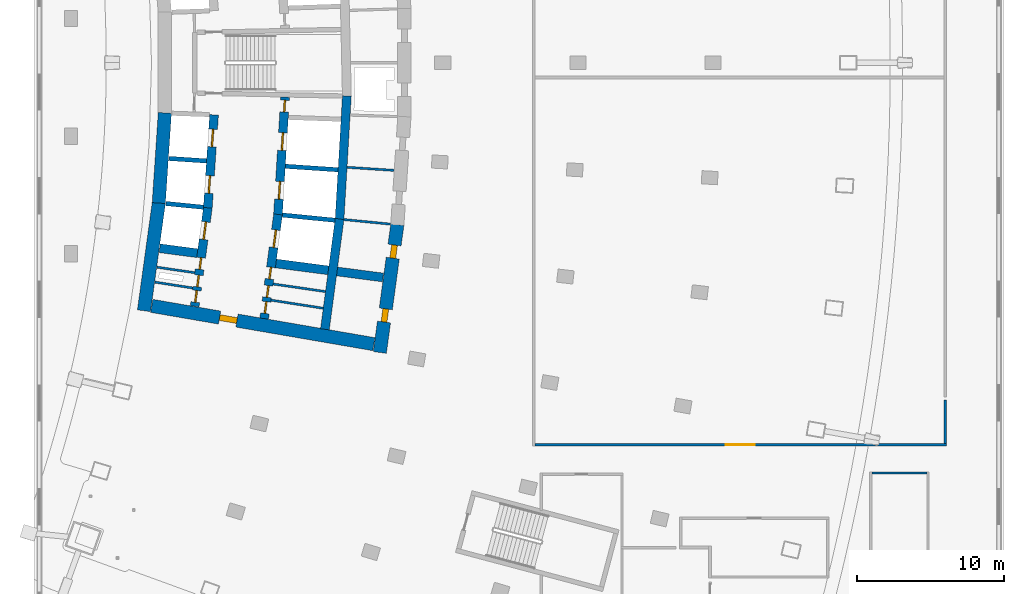
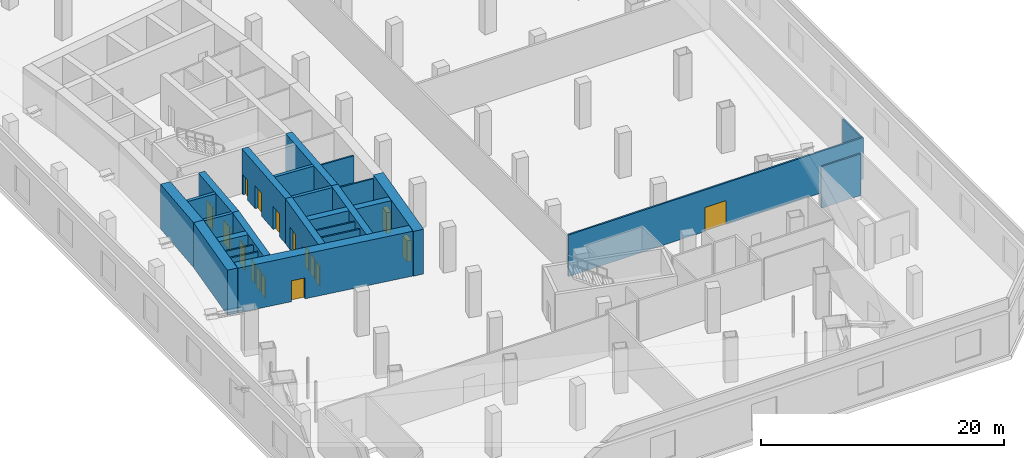
# One storey, part 13 of 19: 26 walls, 17 doors, 17 openings.
"""IFC4 building model written with IfcOpenShell, lengths in metres."""

from ifc_helpers import new_model, si_unit, direction, frame, frame_2d, origin, place, context, subcontext, project, spatial, rectangle, extrude, material, layer, layer_set, type_object, element, fill, save


model = new_model("IFC4")

# Units and contexts
model_context = context("Model", 3, precision=1e-05, world=origin(), true_north=direction((0.0, 1.0)))
body_context = subcontext(model_context, "Body", "Model", "MODEL_VIEW")
ifc_project = project(units=[si_unit("LENGTHUNIT", "METRE"), si_unit("AREAUNIT", "SQUARE_METRE"), si_unit("VOLUMEUNIT", "CUBIC_METRE"), si_unit("PLANEANGLEUNIT", "RADIAN"), si_unit("MASSUNIT", "GRAM", prefix="KILO")], contexts=[model_context])

# Site, building, storey
site_placement = place(None, origin())
site = spatial("IfcSite", under=ifc_project, at=site_placement, CompositionType="ELEMENT")
building_placement = place(site_placement, origin())
building = spatial("IfcBuilding", under=site, at=building_placement, Name="Alderwake Tower", CompositionType="ELEMENT")
storey_placement = place(building_placement, frame((0.0, 0.0, 27.5)))
storey = spatial("IfcBuildingStorey", under=building, at=storey_placement, Name="L05", CompositionType="ELEMENT", Elevation=27.5)

# Walls
ifc_material_1 = material(Name="Gypsum shaft wall system, rated")
ifc_layer_1 = layer(ifc_material_1, 0.14990234375)
ifc_layer_set_1 = layer_set([ifc_layer_1], Name="Core room partition 150")
wall_type_1 = type_object("IfcWallType", Name="Core room partition 150", PredefinedType="PARTITIONING", material=ifc_layer_set_1)
wall_1_placement = place(storey_placement, frame((16.2216796875, 46.0673828125, 0.0), z_axis=(0.0, 0.0, 1.0), x_axis=(0.988167260949, -0.153380130356, 0.0)))
element("IfcWall", 1, at=wall_1_placement, inside=storey, type_object=wall_type_1, Name="CW/L05/PR-161_+0", PredefinedType="PARTITIONING", context=body_context, shape_type="SweptSolid", body=[
    extrude(rectangle(XDim=2.593017578125, YDim=0.14990234375, at=frame_2d((1.29638671875, 0.0))), origin(), (0.0, 0.0, 1.0), 4.179931640625),
])
wall_2_placement = place(storey_placement, frame((24.117431640625, 44.842041015625, 0.0), z_axis=(0.0, 0.0, 1.0), x_axis=(0.988173903359, -0.153337329832, 0.0)))
element("IfcWall", 2, at=wall_2_placement, inside=storey, type_object=wall_type_1, Name="CW/L05/PR-161_+86", PredefinedType="PARTITIONING", context=body_context, shape_type="SweptSolid", body=[
    extrude(rectangle(XDim=3.5966796875, YDim=0.14990234375, at=frame_2d((1.79833984375, 0.0))), origin(), (0.0, 0.0, 1.0), 4.179931640625),
])
wall_3_placement = place(storey_placement, frame((16.361328125, 47.08203125, 0.0), z_axis=(0.0, 0.0, 1.0), x_axis=(0.989733250733, -0.142926877787, 0.0)))
element("IfcWall", 3, at=wall_3_placement, inside=storey, type_object=wall_type_1, Name="CW/L05/PR-150_+0", PredefinedType="PARTITIONING", context=body_context, shape_type="SweptSolid", body=[
    extrude(rectangle(XDim=2.587890625, YDim=0.14990234375, at=frame_2d((1.2939453125, 0.0))), origin(), (0.0, 0.0, 1.0), 4.179931640625),
])
wall_4_placement = place(storey_placement, frame((24.263916015625, 45.940673828125, 0.0), z_axis=(0.0, 0.0, 1.0), x_axis=(0.989732412963, -0.142932679013, 0.0)))
element("IfcWall", 4, at=wall_4_placement, inside=storey, type_object=wall_type_1, Name="CW/L05/PR-150_+86", PredefinedType="PARTITIONING", context=body_context, shape_type="SweptSolid", body=[
    extrude(rectangle(XDim=3.595458984375, YDim=0.14990234375, at=frame_2d((1.7978515625, 0.0))), origin(), (0.0, 0.0, 1.0), 4.179931640625),
])
wall_5_placement = place(storey_placement, frame((29.0791015625, 50.326416015625, 0.0), z_axis=(0.0, 0.0, 1.0), x_axis=(0.995249181795, -0.097360495766, 0.0)))
element("IfcWall", 5, at=wall_5_placement, inside=storey, type_object=wall_type_1, Name="CW/L05/PR-102_+128", PredefinedType="PARTITIONING", context=body_context, shape_type="SweptSolid", body=[
    extrude(rectangle(XDim=3.169677734375, YDim=0.14990234375, at=frame_2d((1.5849609375, 0.0))), origin(), (0.0, 0.0, 1.0), 4.179931640625),
])
wall_6_placement = place(storey_placement, frame((29.289794921875, 53.883056640625, 0.0), z_axis=(0.0, 0.0, 1.0), x_axis=(0.997885290873, -0.064999586616, 0.0)))
element("IfcWall", 6, at=wall_6_placement, inside=storey, type_object=wall_type_1, Name="CW/L05/PR-68_+128", PredefinedType="PARTITIONING", context=body_context, shape_type="SweptSolid", body=[
    extrude(rectangle(XDim=3.18896484375, YDim=0.14990234375, at=frame_2d((1.594482421875, 0.0))), origin(), (0.0, 0.0, 1.0), 4.179931640625),
])
ifc_material_2 = material(Name="Concrete C70/85", Category="concrete")
ifc_layer_2 = layer(ifc_material_2, 0.89990234375)
ifc_layer_set_2 = layer_set([ifc_layer_2], Name="Core wall outer 900 C70-85")
wall_type_2 = type_object("IfcWallType", Name="Core wall outer 900 C70-85", PredefinedType="SHEAR", material=ifc_layer_set_2)
wall_7_placement = place(storey_placement, frame((15.46923828125, 44.1201171875, 0.0), z_axis=(0.0, 0.0, 1.0), x_axis=(0.136337234661, 0.990662484626, 0.0)))
element("IfcWall", 7, at=wall_7_placement, inside=storey, type_object=wall_type_2, Name="Core wall CW.042", PredefinedType="SHEAR", context=body_context, shape_type="SweptSolid", body=[
    extrude(rectangle(XDim=7.431396484375, YDim=0.89990234375, at=frame_2d((3.7158203125, 0.0))), origin(), (0.0, 0.0, 1.0), 4.5),
])
wall_8_placement = place(storey_placement, frame((16.47900390625, 51.449951171875, 0.0), z_axis=(0.0, 0.0, 1.0), x_axis=(0.06689316208, 0.997760143956, 0.0)))
element("IfcWall", 8, at=wall_8_placement, inside=storey, type_object=wall_type_2, Name="Core wall CW.041", PredefinedType="SHEAR", context=body_context, shape_type="SweptSolid", body=[
    extrude(rectangle(XDim=6.149658203125, YDim=0.89990234375, at=frame_2d((3.07470703125, 0.0))), origin(), (0.0, 0.0, 1.0), 4.5),
])

# Wall, openings, doors
wall_9_placement = place(storey_placement, frame((32.7138671875, 49.9873046875, 0.0), z_axis=(0.0, 0.0, 1.0), x_axis=(-0.135844728876, -0.990730139663, 0.0)))
wall_9 = element("IfcWall", 9, at=wall_9_placement, inside=storey, type_object=wall_type_2, Name="Core wall CW.012", PredefinedType="SHEAR", context=body_context, shape_type="SweptSolid", body=[
    extrude(rectangle(XDim=8.78662109375, YDim=0.89990234375, at=frame_2d((4.393310546875, 0.0))), origin(), (0.0, 0.0, 1.0), 4.5),
])
opening_1_placement = place(wall_9_placement, frame((1.40673828125, 0.0, 0.0)))
opening_1 = element("IfcOpeningElement", 10, at=opening_1_placement, cuts=wall_9, Name="Opening C050", PredefinedType="OPENING", context=body_context, shape_type="SweptSolid", body=[
    extrude(rectangle(XDim=0.89990234375, YDim=2.10009765625, at=frame_2d((0.449951171875, 1.050048828125))), frame((0.0, 0.4599609375, 0.0), z_axis=(0.0, -1.0, 0.0), x_axis=(1.0, 0.0, 0.0)), (0.0, 0.0, 1.0), 0.919921875),
])
opening_2_placement = place(wall_9_placement, frame((5.79248046875, 0.0, 0.0)))
opening_2 = element("IfcOpeningElement", 11, at=opening_2_placement, cuts=wall_9, Name="Opening C061", PredefinedType="OPENING", context=body_context, shape_type="SweptSolid", body=[
    extrude(rectangle(XDim=0.89990234375, YDim=2.10009765625, at=frame_2d((0.449951171875, 1.050048828125))), frame((0.0, 0.4599609375, 0.0), z_axis=(0.0, -1.0, 0.0), x_axis=(1.0, 0.0, 0.0)), (0.0, 0.0, 1.0), 0.919921875),
])
ifc_material_3 = material(Name="Painted steel leaf", Category="steel")
door_type_1 = type_object("IfcDoorType", Name="Core room door 900", OperationType="SINGLE_SWING_LEFT", PredefinedType="DOOR", material=ifc_material_3)
door_1_placement = place(opening_1_placement, origin())
door_1 = element("IfcDoor", 12, at=door_1_placement, inside=storey, type_object=door_type_1, Name="Room door", OperationType="SINGLE_SWING_RIGHT", OverallHeight=2.10009765625, OverallWidth=0.89990234375, PredefinedType="DOOR", context=body_context, shape_type="SweptSolid", body=[
    extrude(rectangle(XDim=0.89990234375, YDim=2.10009765625, at=frame_2d((0.449951171875, 1.050048828125))), frame((0.0, 0.199951171875, 0.0), z_axis=(0.0, -1.0, 0.0), x_axis=(1.0, 0.0, 0.0)), (0.0, 0.0, 1.0), 0.39990234375),
])
fill(opening_1, door_1)
door_2_placement = place(opening_2_placement, origin())
door_2 = element("IfcDoor", 13, at=door_2_placement, inside=storey, type_object=door_type_1, Name="Room door", OperationType="SINGLE_SWING_LEFT", OverallHeight=2.10009765625, OverallWidth=0.89990234375, PredefinedType="DOOR", context=body_context, shape_type="SweptSolid", body=[
    extrude(rectangle(XDim=0.89990234375, YDim=2.10009765625, at=frame_2d((0.449951171875, 1.050048828125))), frame((0.0, 0.199951171875, 0.0), z_axis=(0.0, -1.0, 0.0), x_axis=(1.0, 0.0, 0.0)), (0.0, 0.0, 1.0), 0.39990234375),
])
fill(opening_2, door_2)

# Wall, opening, door
wall_10_placement = place(storey_placement, frame((31.11328125, 41.846923828125, 0.0), z_axis=(0.0, 0.0, 1.0), x_axis=(-0.985466640605, 0.169869067972, 0.0)))
wall_10 = element("IfcWall", 14, at=wall_10_placement, inside=storey, type_object=wall_type_2, Name="Core wall CW.070", PredefinedType="SHEAR", context=body_context, shape_type="SweptSolid", body=[
    extrude(rectangle(XDim=15.336669921875, YDim=0.89990234375, at=frame_2d((7.66845703125, 0.0))), origin(), (0.0, 0.0, 1.0), 4.5),
])
opening_3_placement = place(wall_10_placement, frame((9.451904296875, 0.0, 0.0)))
opening_3 = element("IfcOpeningElement", 15, at=opening_3_placement, cuts=wall_10, Name="Opening C003", PredefinedType="OPENING", context=body_context, shape_type="SweptSolid", body=[
    extrude(rectangle(XDim=1.199951171875, YDim=2.10009765625, at=frame_2d((0.60009765625, 1.050048828125))), frame((0.0, 0.4599609375, 0.0), z_axis=(0.0, -1.0, 0.0), x_axis=(1.0, 0.0, 0.0)), (0.0, 0.0, 1.0), 0.919921875),
])
ifc_material_4 = material(Name="Steel-framed fire door leaf", Category="steel")
door_type_2 = type_object("IfcDoorType", Name="Core lobby exit door 1200 fire-rated", OperationType="SINGLE_SWING_LEFT", PredefinedType="DOOR", material=ifc_material_4)
door_3_placement = place(opening_3_placement, origin())
door_3 = element("IfcDoor", 16, at=door_3_placement, inside=storey, type_object=door_type_2, Name="Lobby door", OperationType="SINGLE_SWING_LEFT", OverallHeight=2.10009765625, OverallWidth=1.199951171875, PredefinedType="DOOR", context=body_context, shape_type="SweptSolid", body=[
    extrude(rectangle(XDim=1.199951171875, YDim=2.10009765625, at=frame_2d((0.60009765625, 1.050048828125))), frame((0.0, 0.199951171875, 0.0), z_axis=(0.0, -1.0, 0.0), x_axis=(1.0, 0.0, 0.0)), (0.0, 0.0, 1.0), 0.39990234375),
])
fill(opening_3, door_3)

# Walls
ifc_material_5 = material(Name="Concrete C70/85", Category="concrete")
ifc_layer_3 = layer(ifc_material_5, 0.300048828125)
ifc_layer_set_3 = layer_set([ifc_layer_3], Name="Core wall shaft 300 C70-85")
wall_type_3 = type_object("IfcWallType", Name="Core wall shaft 300 C70-85", PredefinedType="SHEAR", material=ifc_layer_set_3)
wall_11_placement = place(storey_placement, frame((16.9580078125, 51.4189453125, 0.0), z_axis=(0.0, 0.0, 1.0), x_axis=(0.995153154577, -0.098337169657, 0.0)))
element("IfcWall", 17, at=wall_11_placement, inside=storey, type_object=wall_type_3, Name="Core wall CW.065", PredefinedType="SHEAR", context=body_context, shape_type="SweptSolid", body=[
    extrude(rectangle(XDim=2.569580078125, YDim=0.300048828125, at=frame_2d((1.28466796875, 0.0))), origin(), (0.0, 0.0, 1.0), 4.5),
])
wall_12_placement = place(storey_placement, frame((24.889404296875, 50.635009765625, 0.0), z_axis=(0.0, 0.0, 1.0), x_axis=(0.995156121494, -0.098307140396, 0.0)))
element("IfcWall", 18, at=wall_12_placement, inside=storey, type_object=wall_type_3, Name="Core wall CW.066", PredefinedType="SHEAR", context=body_context, shape_type="SweptSolid", body=[
    extrude(rectangle(XDim=3.595947265625, YDim=0.300048828125, at=frame_2d((1.7978515625, 0.0))), origin(), (0.0, 0.0, 1.0), 4.5),
])
wall_13_placement = place(storey_placement, frame((17.16357421875, 54.486083984375, 0.0), z_axis=(0.0, 0.0, 1.0), x_axis=(0.997758581961, -0.066916456292, 0.0)))
element("IfcWall", 19, at=wall_13_placement, inside=storey, type_object=wall_type_3, Name="Core wall CW.079", PredefinedType="SHEAR", context=body_context, shape_type="SweptSolid", body=[
    extrude(rectangle(XDim=2.568603515625, YDim=0.300048828125, at=frame_2d((1.2841796875, 0.0))), origin(), (0.0, 0.0, 1.0), 4.5),
])
wall_14_placement = place(storey_placement, frame((25.090087890625, 53.954833984375, 0.0), z_axis=(0.0, 0.0, 1.0), x_axis=(0.997758045734, -0.066924451231, 0.0)))
element("IfcWall", 20, at=wall_14_placement, inside=storey, type_object=wall_type_3, Name="Core wall CW.080", PredefinedType="SHEAR", context=body_context, shape_type="SweptSolid", body=[
    extrude(rectangle(XDim=3.596923828125, YDim=0.300048828125, at=frame_2d((1.79833984375, 0.0))), origin(), (0.0, 0.0, 1.0), 4.5),
])

# Wall, openings, doors
ifc_material_6 = material(Name="Concrete C70/85", Category="concrete")
ifc_layer_4 = layer(ifc_material_6, 0.60009765625)
ifc_layer_set_4 = layer_set([ifc_layer_4], Name="Core wall spine 600 C70-85")
wall_type_4 = type_object("IfcWallType", Name="Core wall spine 600 C70-85", PredefinedType="SHEAR", material=ifc_layer_set_4)
wall_15_placement = place(storey_placement, frame((19.815185546875, 51.14697265625, 0.0), z_axis=(0.0, 0.0, 1.0), x_axis=(-0.131854836214, -0.991269036219, 0.0)))
wall_15 = element("IfcWall", 21, at=wall_15_placement, inside=storey, type_object=wall_type_4, Name="Core wall CW.033", PredefinedType="SHEAR", context=body_context, shape_type="SweptSolid", body=[
    extrude(rectangle(XDim=6.782470703125, YDim=0.60009765625, at=frame_2d((3.39111328125, 0.0))), origin(), (0.0, 0.0, 1.0), 4.5),
])
opening_4_placement = place(wall_15_placement, frame((0.9921875, 0.0, 0.0)))
opening_4 = element("IfcOpeningElement", 22, at=opening_4_placement, cuts=wall_15, Name="Opening LD-LP1", PredefinedType="OPENING", context=body_context, shape_type="SweptSolid", body=[
    extrude(rectangle(XDim=1.199951171875, YDim=2.300048828125, at=frame_2d((0.60009765625, 1.14990234375))), frame((0.0, 0.31005859375, 0.0), z_axis=(0.0, -1.0, 0.0), x_axis=(1.0, 0.0, 0.0)), (0.0, 0.0, 1.0), 0.6201171875),
])
opening_5_placement = place(wall_15_placement, frame((5.699951171875, 0.0, 0.0)))
opening_5 = element("IfcOpeningElement", 23, at=opening_5_placement, cuts=wall_15, Name="Opening C009", PredefinedType="OPENING", context=body_context, shape_type="SweptSolid", body=[
    extrude(rectangle(XDim=0.800048828125, YDim=2.0, at=frame_2d((0.39990234375, 1.0))), frame((0.0, 0.31005859375, 0.0), z_axis=(0.0, -1.0, 0.0), x_axis=(1.0, 0.0, 0.0)), (0.0, 0.0, 1.0), 0.6201171875),
])
opening_6_placement = place(wall_15_placement, frame((4.64501953125, 0.0, 0.0)))
opening_6 = element("IfcOpeningElement", 24, at=opening_6_placement, cuts=wall_15, Name="Opening C011", PredefinedType="OPENING", context=body_context, shape_type="SweptSolid", body=[
    extrude(rectangle(XDim=0.800048828125, YDim=2.0, at=frame_2d((0.39990234375, 1.0))), frame((0.0, 0.31005859375, 0.0), z_axis=(0.0, -1.0, 0.0), x_axis=(1.0, 0.0, 0.0)), (0.0, 0.0, 1.0), 0.6201171875),
])
opening_7_placement = place(wall_15_placement, frame((3.4462890625, 0.0, 0.0)))
opening_7 = element("IfcOpeningElement", 25, at=opening_7_placement, cuts=wall_15, Name="Opening C012", PredefinedType="OPENING", context=body_context, shape_type="SweptSolid", body=[
    extrude(rectangle(XDim=0.800048828125, YDim=2.0, at=frame_2d((0.39990234375, 1.0))), frame((0.0, 0.31005859375, 0.0), z_axis=(0.0, -1.0, 0.0), x_axis=(1.0, 0.0, 0.0)), (0.0, 0.0, 1.0), 0.6201171875),
])
ifc_material_7 = material(Name="Stainless steel sliding leaf", Category="steel")
door_type_3 = type_object("IfcDoorType", Name="Lift landing door 1200", OperationType="SLIDING_TO_LEFT", PredefinedType="DOOR", material=ifc_material_7)
door_4_placement = place(opening_4_placement, origin())
door_4 = element("IfcDoor", 26, at=door_4_placement, inside=storey, type_object=door_type_3, Name="Lift landing door LP1", OperationType="SLIDING_TO_LEFT", OverallHeight=2.300048828125, OverallWidth=1.199951171875, PredefinedType="DOOR", context=body_context, shape_type="SweptSolid", body=[
    extrude(rectangle(XDim=1.199951171875, YDim=2.300048828125, at=frame_2d((0.60009765625, 1.14990234375))), frame((0.0, 0.050048828125, 0.0), z_axis=(0.0, -1.0, 0.0), x_axis=(1.0, 0.0, 0.0)), (0.0, 0.0, 1.0), 0.10009765625),
])
fill(opening_4, door_4)
ifc_material_8 = material(Name="Painted steel leaf, rated", Category="steel")
door_type_4 = type_object("IfcDoorType", Name="Riser access door 800", OperationType="SINGLE_SWING_LEFT", PredefinedType="DOOR", material=ifc_material_8)
door_5_placement = place(opening_5_placement, origin())
door_5 = element("IfcDoor", 27, at=door_5_placement, inside=storey, type_object=door_type_4, Name="Riser access door", OperationType="SINGLE_SWING_LEFT", OverallHeight=2.0, OverallWidth=0.800048828125, PredefinedType="DOOR", context=body_context, shape_type="SweptSolid", body=[
    extrude(rectangle(XDim=0.800048828125, YDim=2.0, at=frame_2d((0.39990234375, 1.0))), frame((0.0, 0.050048828125, 0.0), z_axis=(0.0, -1.0, 0.0), x_axis=(1.0, 0.0, 0.0)), (0.0, 0.0, 1.0), 0.10009765625),
])
fill(opening_5, door_5)
door_6_placement = place(opening_6_placement, origin())
door_6 = element("IfcDoor", 28, at=door_6_placement, inside=storey, type_object=door_type_4, Name="Riser access door", OperationType="SINGLE_SWING_RIGHT", OverallHeight=2.0, OverallWidth=0.800048828125, PredefinedType="DOOR", context=body_context, shape_type="SweptSolid", body=[
    extrude(rectangle(XDim=0.800048828125, YDim=2.0, at=frame_2d((0.39990234375, 1.0))), frame((0.0, 0.050048828125, 0.0), z_axis=(0.0, -1.0, 0.0), x_axis=(1.0, 0.0, 0.0)), (0.0, 0.0, 1.0), 0.10009765625),
])
fill(opening_6, door_6)
door_7_placement = place(opening_7_placement, origin())
door_7 = element("IfcDoor", 29, at=door_7_placement, inside=storey, type_object=door_type_4, Name="Riser access door", OperationType="SINGLE_SWING_LEFT", OverallHeight=2.0, OverallWidth=0.800048828125, PredefinedType="DOOR", context=body_context, shape_type="SweptSolid", body=[
    extrude(rectangle(XDim=0.800048828125, YDim=2.0, at=frame_2d((0.39990234375, 1.0))), frame((0.0, 0.050048828125, 0.0), z_axis=(0.0, -1.0, 0.0), x_axis=(1.0, 0.0, 0.0)), (0.0, 0.0, 1.0), 0.10009765625),
])
fill(opening_7, door_7)

wall_16_placement = place(storey_placement, frame((19.813232421875, 51.12646484375, 0.0), z_axis=(0.0, 0.0, 1.0), x_axis=(0.066892179723, 0.997760209816, 0.0)))
wall_16 = element("IfcWall", 30, at=wall_16_placement, inside=storey, type_object=wall_type_4, Name="Core wall CW.032", PredefinedType="SHEAR", context=body_context, shape_type="SweptSolid", body=[
    extrude(rectangle(XDim=6.339599609375, YDim=0.60009765625, at=frame_2d((3.169921875, 0.0))), origin(), (0.0, 0.0, 1.0), 4.5),
])
opening_8_placement = place(wall_16_placement, frame((0.992431640625, 0.0, 0.0)))
opening_8 = element("IfcOpeningElement", 31, at=opening_8_placement, cuts=wall_16, Name="Opening LD-LP2", PredefinedType="OPENING", context=body_context, shape_type="SweptSolid", body=[
    extrude(rectangle(XDim=1.199951171875, YDim=2.300048828125, at=frame_2d((0.60009765625, 1.14990234375))), frame((0.0, 0.31005859375, 0.0), z_axis=(0.0, -1.0, 0.0), x_axis=(1.0, 0.0, 0.0)), (0.0, 0.0, 1.0), 0.6201171875),
])
opening_9_placement = place(wall_16_placement, frame((4.157470703125, 0.0, 0.0)))
opening_9 = element("IfcOpeningElement", 32, at=opening_9_placement, cuts=wall_16, Name="Opening LD-LP3", PredefinedType="OPENING", context=body_context, shape_type="SweptSolid", body=[
    extrude(rectangle(XDim=1.199951171875, YDim=2.300048828125, at=frame_2d((0.60009765625, 1.14990234375))), frame((0.0, 0.31005859375, 0.0), z_axis=(0.0, -1.0, 0.0), x_axis=(1.0, 0.0, 0.0)), (0.0, 0.0, 1.0), 0.6201171875),
])
door_8_placement = place(opening_8_placement, origin())
door_8 = element("IfcDoor", 33, at=door_8_placement, inside=storey, type_object=door_type_3, Name="Lift landing door LP2", OperationType="SLIDING_TO_LEFT", OverallHeight=2.300048828125, OverallWidth=1.199951171875, PredefinedType="DOOR", context=body_context, shape_type="SweptSolid", body=[
    extrude(rectangle(XDim=1.199951171875, YDim=2.300048828125, at=frame_2d((0.60009765625, 1.14990234375))), frame((0.0, 0.050048828125, 0.0), z_axis=(0.0, -1.0, 0.0), x_axis=(1.0, 0.0, 0.0)), (0.0, 0.0, 1.0), 0.10009765625),
])
fill(opening_8, door_8)
door_9_placement = place(opening_9_placement, origin())
door_9 = element("IfcDoor", 34, at=door_9_placement, inside=storey, type_object=door_type_3, Name="Lift landing door LP3", OperationType="SLIDING_TO_LEFT", OverallHeight=2.300048828125, OverallWidth=1.199951171875, PredefinedType="DOOR", context=body_context, shape_type="SweptSolid", body=[
    extrude(rectangle(XDim=1.199951171875, YDim=2.300048828125, at=frame_2d((0.60009765625, 1.14990234375))), frame((0.0, 0.050048828125, 0.0), z_axis=(0.0, -1.0, 0.0), x_axis=(1.0, 0.0, 0.0)), (0.0, 0.0, 1.0), 0.10009765625),
])
fill(opening_9, door_9)

wall_17_placement = place(storey_placement, frame((23.647705078125, 43.588134765625, 0.0), z_axis=(0.0, 0.0, 1.0), x_axis=(0.132069785658, 0.991240420744, 0.0)))
wall_17 = element("IfcWall", 35, at=wall_17_placement, inside=storey, type_object=wall_type_4, Name="Core wall CW.047", PredefinedType="SHEAR", context=body_context, shape_type="SweptSolid", body=[
    extrude(rectangle(XDim=7.150390625, YDim=0.60009765625, at=frame_2d((3.5751953125, 0.0))), origin(), (0.0, 0.0, 1.0), 4.5),
])
opening_10_placement = place(wall_17_placement, frame((4.88134765625, 0.0, 0.0)))
opening_10 = element("IfcOpeningElement", 36, at=opening_10_placement, cuts=wall_17, Name="Opening LD-LP4", PredefinedType="OPENING", context=body_context, shape_type="SweptSolid", body=[
    extrude(rectangle(XDim=1.199951171875, YDim=2.300048828125, at=frame_2d((0.60009765625, 1.14990234375))), frame((0.0, 0.31005859375, 0.0), z_axis=(0.0, -1.0, 0.0), x_axis=(1.0, 0.0, 0.0)), (0.0, 0.0, 1.0), 0.6201171875),
])
opening_11_placement = place(wall_17_placement, frame((0.35791015625, 0.0, 0.0)))
opening_11 = element("IfcOpeningElement", 37, at=opening_11_placement, cuts=wall_17, Name="Opening C016", PredefinedType="OPENING", context=body_context, shape_type="SweptSolid", body=[
    extrude(rectangle(XDim=0.800048828125, YDim=2.0, at=frame_2d((0.39990234375, 1.0))), frame((0.0, 0.31005859375, 0.0), z_axis=(0.0, -1.0, 0.0), x_axis=(1.0, 0.0, 0.0)), (0.0, 0.0, 1.0), 0.6201171875),
])
opening_12_placement = place(wall_17_placement, frame((1.46337890625, 0.0, 0.0)))
opening_12 = element("IfcOpeningElement", 38, at=opening_12_placement, cuts=wall_17, Name="Opening C018", PredefinedType="OPENING", context=body_context, shape_type="SweptSolid", body=[
    extrude(rectangle(XDim=0.800048828125, YDim=2.0, at=frame_2d((0.39990234375, 1.0))), frame((0.0, 0.31005859375, 0.0), z_axis=(0.0, -1.0, 0.0), x_axis=(1.0, 0.0, 0.0)), (0.0, 0.0, 1.0), 0.6201171875),
])
opening_13_placement = place(wall_17_placement, frame((2.719482421875, 0.0, 0.0)))
opening_13 = element("IfcOpeningElement", 39, at=opening_13_placement, cuts=wall_17, Name="Opening C019", PredefinedType="OPENING", context=body_context, shape_type="SweptSolid", body=[
    extrude(rectangle(XDim=0.800048828125, YDim=2.0, at=frame_2d((0.39990234375, 1.0))), frame((0.0, 0.31005859375, 0.0), z_axis=(0.0, -1.0, 0.0), x_axis=(1.0, 0.0, 0.0)), (0.0, 0.0, 1.0), 0.6201171875),
])
door_10_placement = place(opening_10_placement, origin())
door_10 = element("IfcDoor", 40, at=door_10_placement, inside=storey, type_object=door_type_3, Name="Lift landing door LP4", OperationType="SLIDING_TO_LEFT", OverallHeight=2.300048828125, OverallWidth=1.199951171875, PredefinedType="DOOR", context=body_context, shape_type="SweptSolid", body=[
    extrude(rectangle(XDim=1.199951171875, YDim=2.300048828125, at=frame_2d((0.60009765625, 1.14990234375))), frame((0.0, 0.050048828125, 0.0), z_axis=(0.0, -1.0, 0.0), x_axis=(1.0, 0.0, 0.0)), (0.0, 0.0, 1.0), 0.10009765625),
])
fill(opening_10, door_10)
door_11_placement = place(opening_11_placement, origin())
door_11 = element("IfcDoor", 41, at=door_11_placement, inside=storey, type_object=door_type_4, Name="Riser access door", OperationType="SINGLE_SWING_RIGHT", OverallHeight=2.0, OverallWidth=0.800048828125, PredefinedType="DOOR", context=body_context, shape_type="SweptSolid", body=[
    extrude(rectangle(XDim=0.800048828125, YDim=2.0, at=frame_2d((0.39990234375, 1.0))), frame((0.0, 0.050048828125, 0.0), z_axis=(0.0, -1.0, 0.0), x_axis=(1.0, 0.0, 0.0)), (0.0, 0.0, 1.0), 0.10009765625),
])
fill(opening_11, door_11)
door_12_placement = place(opening_12_placement, origin())
door_12 = element("IfcDoor", 42, at=door_12_placement, inside=storey, type_object=door_type_4, Name="Riser access door", OperationType="SINGLE_SWING_LEFT", OverallHeight=2.0, OverallWidth=0.800048828125, PredefinedType="DOOR", context=body_context, shape_type="SweptSolid", body=[
    extrude(rectangle(XDim=0.800048828125, YDim=2.0, at=frame_2d((0.39990234375, 1.0))), frame((0.0, 0.050048828125, 0.0), z_axis=(0.0, -1.0, 0.0), x_axis=(1.0, 0.0, 0.0)), (0.0, 0.0, 1.0), 0.10009765625),
])
fill(opening_12, door_12)
door_13_placement = place(opening_13_placement, origin())
door_13 = element("IfcDoor", 43, at=door_13_placement, inside=storey, type_object=door_type_4, Name="Riser access door", OperationType="SINGLE_SWING_RIGHT", OverallHeight=2.0, OverallWidth=0.800048828125, PredefinedType="DOOR", context=body_context, shape_type="SweptSolid", body=[
    extrude(rectangle(XDim=0.800048828125, YDim=2.0, at=frame_2d((0.39990234375, 1.0))), frame((0.0, 0.050048828125, 0.0), z_axis=(0.0, -1.0, 0.0), x_axis=(1.0, 0.0, 0.0)), (0.0, 0.0, 1.0), 0.10009765625),
])
fill(opening_13, door_13)

wall_18_placement = place(storey_placement, frame((24.58984375, 50.6533203125, 0.0), z_axis=(0.0, 0.0, 1.0), x_axis=(0.060323309079, 0.998178890972, 0.0)))
wall_18 = element("IfcWall", 44, at=wall_18_placement, inside=storey, type_object=wall_type_4, Name="Core wall CW.046", PredefinedType="SHEAR", context=body_context, shape_type="SweptSolid", body=[
    extrude(rectangle(XDim=8.025634765625, YDim=0.60009765625, at=frame_2d((4.0126953125, 0.0))), origin(), (0.0, 0.0, 1.0), 4.5),
])
opening_14_placement = place(wall_18_placement, frame((1.06884765625, 0.0, 0.0)))
opening_14 = element("IfcOpeningElement", 45, at=opening_14_placement, cuts=wall_18, Name="Opening LD-LP5", PredefinedType="OPENING", context=body_context, shape_type="SweptSolid", body=[
    extrude(rectangle(XDim=1.199951171875, YDim=2.300048828125, at=frame_2d((0.60009765625, 1.14990234375))), frame((0.0, 0.31005859375, 0.0), z_axis=(0.0, -1.0, 0.0), x_axis=(1.0, 0.0, 0.0)), (0.0, 0.0, 1.0), 0.6201171875),
])
opening_15_placement = place(wall_18_placement, frame((4.38525390625, 0.0, 0.0)))
opening_15 = element("IfcOpeningElement", 46, at=opening_15_placement, cuts=wall_18, Name="Opening LD-LP6", PredefinedType="OPENING", context=body_context, shape_type="SweptSolid", body=[
    extrude(rectangle(XDim=1.199951171875, YDim=2.300048828125, at=frame_2d((0.60009765625, 1.14990234375))), frame((0.0, 0.31005859375, 0.0), z_axis=(0.0, -1.0, 0.0), x_axis=(1.0, 0.0, 0.0)), (0.0, 0.0, 1.0), 0.6201171875),
])
opening_16_placement = place(wall_18_placement, frame((7.009521484375, 0.0, 0.0)))
opening_16 = element("IfcOpeningElement", 47, at=opening_16_placement, cuts=wall_18, Name="Opening C006", PredefinedType="OPENING", context=body_context, shape_type="SweptSolid", body=[
    extrude(rectangle(XDim=0.800048828125, YDim=2.0, at=frame_2d((0.39990234375, 1.0))), frame((0.0, 0.31005859375, 0.0), z_axis=(0.0, -1.0, 0.0), x_axis=(1.0, 0.0, 0.0)), (0.0, 0.0, 1.0), 0.6201171875),
])
door_14_placement = place(opening_14_placement, origin())
door_14 = element("IfcDoor", 48, at=door_14_placement, inside=storey, type_object=door_type_3, Name="Lift landing door LP5", OperationType="SLIDING_TO_LEFT", OverallHeight=2.300048828125, OverallWidth=1.199951171875, PredefinedType="DOOR", context=body_context, shape_type="SweptSolid", body=[
    extrude(rectangle(XDim=1.199951171875, YDim=2.300048828125, at=frame_2d((0.60009765625, 1.14990234375))), frame((0.0, 0.050048828125, 0.0), z_axis=(0.0, -1.0, 0.0), x_axis=(1.0, 0.0, 0.0)), (0.0, 0.0, 1.0), 0.10009765625),
])
fill(opening_14, door_14)
door_15_placement = place(opening_15_placement, origin())
door_15 = element("IfcDoor", 49, at=door_15_placement, inside=storey, type_object=door_type_3, Name="Lift landing door LP6", OperationType="SLIDING_TO_LEFT", OverallHeight=2.300048828125, OverallWidth=1.199951171875, PredefinedType="DOOR", context=body_context, shape_type="SweptSolid", body=[
    extrude(rectangle(XDim=1.199951171875, YDim=2.300048828125, at=frame_2d((0.60009765625, 1.14990234375))), frame((0.0, 0.050048828125, 0.0), z_axis=(0.0, -1.0, 0.0), x_axis=(1.0, 0.0, 0.0)), (0.0, 0.0, 1.0), 0.10009765625),
])
fill(opening_15, door_15)
door_16_placement = place(opening_16_placement, origin())
door_16 = element("IfcDoor", 50, at=door_16_placement, inside=storey, type_object=door_type_4, Name="Riser access door", OperationType="SINGLE_SWING_RIGHT", OverallHeight=2.0, OverallWidth=0.800048828125, PredefinedType="DOOR", context=body_context, shape_type="SweptSolid", body=[
    extrude(rectangle(XDim=0.800048828125, YDim=2.0, at=frame_2d((0.39990234375, 1.0))), frame((0.0, 0.050048828125, 0.0), z_axis=(0.0, -1.0, 0.0), x_axis=(1.0, 0.0, 0.0)), (0.0, 0.0, 1.0), 0.10009765625),
])
fill(opening_16, door_16)

# Walls
wall_19_placement = place(storey_placement, frame((27.78369140625, 42.85693359375, 0.0), z_axis=(0.0, 0.0, 1.0), x_axis=(0.131768985664, 0.991280451949, 0.0)))
element("IfcWall", 51, at=wall_19_placement, inside=storey, type_object=wall_type_4, Name="Core wall CW.006", PredefinedType="SHEAR", context=body_context, shape_type="SweptSolid", body=[
    extrude(rectangle(XDim=7.576171875, YDim=0.60009765625, at=frame_2d((3.7880859375, 0.0))), origin(), (0.0, 0.0, 1.0), 4.5),
])
wall_20_placement = place(storey_placement, frame((28.77978515625, 50.34423828125, 0.0), z_axis=(0.0, 0.0, 1.0), x_axis=(0.059133840665, 0.998250063305, 0.0)))
element("IfcWall", 52, at=wall_20_placement, inside=storey, type_object=wall_type_4, Name="Core wall CW.004", PredefinedType="SHEAR", context=body_context, shape_type="SweptSolid", body=[
    extrude(rectangle(XDim=8.409912109375, YDim=0.60009765625, at=frame_2d((4.205078125, 0.0))), origin(), (0.0, 0.0, 1.0), 4.5),
])
wall_21_placement = place(storey_placement, frame((16.5390625, 48.373291015625, 0.0), z_axis=(0.0, 0.0, 1.0), x_axis=(0.99156081818, -0.129642369037, 0.0)))
element("IfcWall", 53, at=wall_21_placement, inside=storey, type_object=wall_type_4, Name="Core wall CW.067", PredefinedType="SHEAR", context=body_context, shape_type="SweptSolid", body=[
    extrude(rectangle(XDim=2.581787109375, YDim=0.60009765625, at=frame_2d((1.291015625, 0.0))), origin(), (0.0, 0.0, 1.0), 4.5),
])
wall_22_placement = place(storey_placement, frame((24.4501953125, 47.338623046875, 0.0), z_axis=(0.0, 0.0, 1.0), x_axis=(0.99155225032, -0.129707882892, 0.0)))
element("IfcWall", 54, at=wall_22_placement, inside=storey, type_object=wall_type_4, Name="Core wall CW.069", PredefinedType="SHEAR", context=body_context, shape_type="SweptSolid", body=[
    extrude(rectangle(XDim=3.594970703125, YDim=0.60009765625, at=frame_2d((1.79736328125, 0.0))), origin(), (0.0, 0.0, 1.0), 4.5),
])
wall_23_placement = place(storey_placement, frame((28.609619140625, 46.794677734375, 0.0), z_axis=(0.0, 0.0, 1.0), x_axis=(0.991551544298, -0.129713279967, 0.0)))
element("IfcWall", 55, at=wall_23_placement, inside=storey, type_object=wall_type_4, Name="Core wall CW.068", PredefinedType="SHEAR", context=body_context, shape_type="SweptSolid", body=[
    extrude(rectangle(XDim=3.152587890625, YDim=0.60009765625, at=frame_2d((1.576171875, 0.0))), origin(), (0.0, 0.0, 1.0), 4.5),
])

# Wall, opening, door
ifc_material_9 = material(Name="Gypsum board on metal studs, rated")
ifc_layer_5 = layer(ifc_material_9, 0.159912109375)
ifc_layer_set_5 = layer_set([ifc_layer_5], Name="Corridor wall 160")
wall_type_5 = type_object("IfcWallType", Name="Corridor wall 160", PredefinedType="PARTITIONING", material=ifc_layer_set_5)
wall_24_placement = place(storey_placement, frame((70.0791015625, 35.0009765625, 0.0), z_axis=(0.0, 0.0, 1.0), x_axis=(-1.0, 0.0, 0.0)))
wall_24 = element("IfcWall", 56, at=wall_24_placement, inside=storey, type_object=wall_type_5, Name="WL/L05/W54", PredefinedType="PARTITIONING", context=body_context, shape_type="SweptSolid", body=[
    extrude(rectangle(XDim=27.9990234375, YDim=0.159912109375, at=frame_2d((13.99951171875, 0.0))), origin(), (0.0, 0.0, 1.0), 4.179931640625),
])
opening_17_placement = place(wall_24_placement, frame((13.029052734375, 0.0, 0.0)))
opening_17 = element("IfcOpeningElement", 57, at=opening_17_placement, cuts=wall_24, Name="Opening L05-01", PredefinedType="OPENING", context=body_context, shape_type="SweptSolid", body=[
    extrude(rectangle(XDim=2.0, YDim=2.39990234375, at=frame_2d((1.0, 1.199951171875))), frame((0.0, 0.08984375, 0.0), z_axis=(0.0, -1.0, 0.0), x_axis=(1.0, 0.0, 0.0)), (0.0, 0.0, 1.0), 0.179931640625),
])
ifc_material_10 = material(Name="Timber leaves with glazed panels", Category="wood")
door_type_5 = type_object("IfcDoorType", Name="Hall double door 2000", OperationType="DOUBLE_DOOR_SINGLE_SWING", PredefinedType="DOOR", material=ifc_material_10)
door_17_placement = place(opening_17_placement, origin())
door_17 = element("IfcDoor", 58, at=door_17_placement, inside=storey, type_object=door_type_5, Name="DR/L05/01", OperationType="DOUBLE_DOOR_SINGLE_SWING", OverallHeight=2.39990234375, OverallWidth=2.0, PredefinedType="DOOR", context=body_context, shape_type="SweptSolid", body=[
    extrude(rectangle(XDim=2.0, YDim=2.39990234375, at=frame_2d((1.0, 1.199951171875))), frame((0.0, 0.02490234375, 0.0), z_axis=(0.0, -1.0, 0.0), x_axis=(1.0, 0.0, 0.0)), (0.0, 0.0, 1.0), 0.050048828125),
])
fill(opening_17, door_17)

# Walls
wall_25_placement = place(storey_placement, frame((69.9990234375, 38.06005859375, 0.0), z_axis=(0.0, 0.0, 1.0), x_axis=(0.0, -1.0, 0.0)))
element("IfcWall", 59, at=wall_25_placement, inside=storey, type_object=wall_type_5, Name="WL/L05/W55", PredefinedType="PARTITIONING", context=body_context, shape_type="SweptSolid", body=[
    extrude(rectangle(XDim=2.97900390625, YDim=0.159912109375, at=frame_2d((1.489501953125, 0.0))), origin(), (0.0, 0.0, 1.0), 4.179931640625),
])
ifc_material_11 = material(Name="Gypsum shaft wall system, rated")
ifc_layer_6 = layer(ifc_material_11, 0.14990234375)
ifc_layer_set_6 = layer_set([ifc_layer_6], Name="Riser and shaft wall 150")
wall_type_6 = type_object("IfcWallType", Name="Riser and shaft wall 150", PredefinedType="PARTITIONING", material=ifc_layer_set_6)
wall_26_placement = place(storey_placement, frame((68.7509765625, 33.074951171875, 0.0), z_axis=(0.0, 0.0, 1.0), x_axis=(-1.0, 0.0, 0.0)))
element("IfcWall", 60, at=wall_26_placement, inside=storey, type_object=wall_type_6, Name="WL/L05/W19", PredefinedType="PARTITIONING", context=body_context, shape_type="SweptSolid", body=[
    extrude(rectangle(XDim=3.75, YDim=0.14990234375, at=frame_2d((1.875, 0.0))), origin(), (0.0, 0.0, 1.0), 4.179931640625),
])

save(model, "model.ifc")
